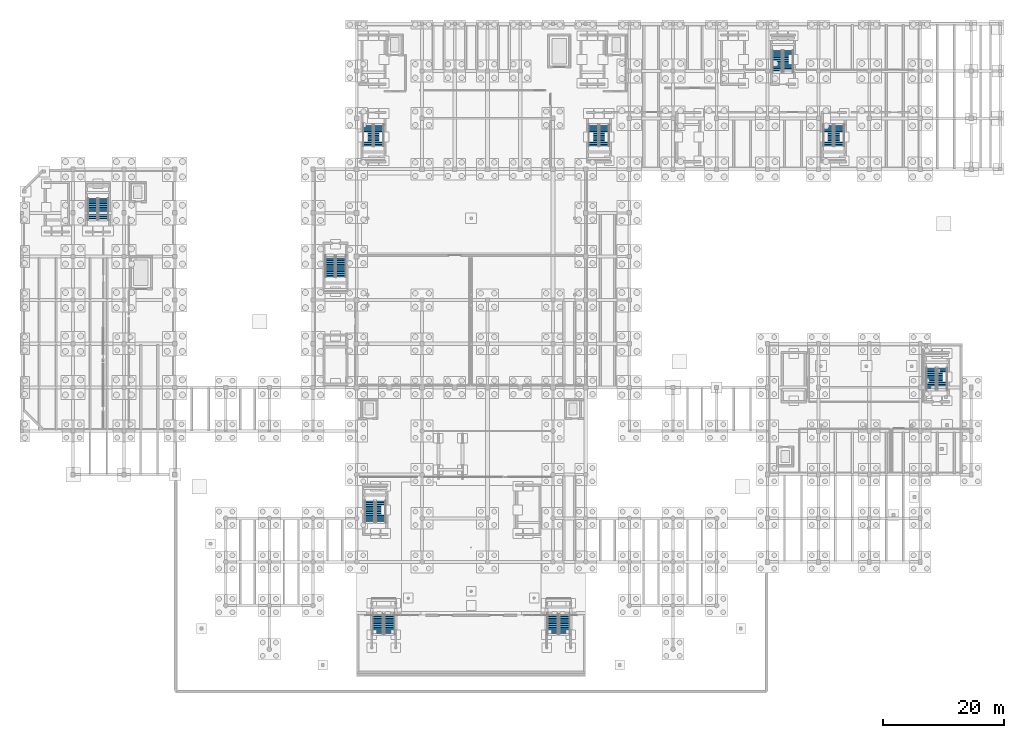
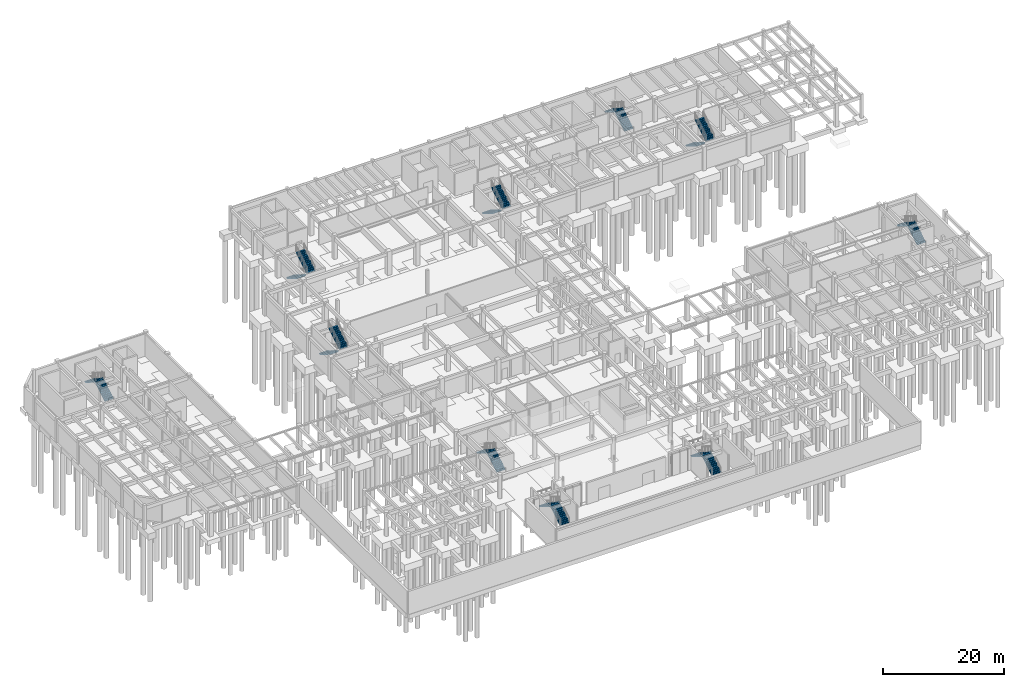
# One storey, part 32 of 46: 20 stair flights, 10 elements without a shape of their own.
"""IFC4 building model written with IfcOpenShell, lengths in metres."""

import ifcopenshell
import ifcopenshell.guid

model = None  # the IFC model being written
_history = None  # IfcOwnerHistory: only IFC2X3 demands one
_inside = {}  # id of a spatial element -> (the spatial element, [elements in it])
_under = {}  # id of a project, library or spatial element -> (it, [spatial elements below it])
_declared = {}  # id of a project -> (the project, [libraries it declares])
_typed = {}  # id of a type object -> (the type object, [elements of that type])
_made_of = {}  # id of a material, layer set ... -> (it, [elements and type objects made of it])


def new_model(schema):
    """Start an empty IFC model of exactly this schema.

    Asked for "IFC4X3", IfcOpenShell would pick the latest addendum, in which some entities
    have other attributes; the version numbers below select the first issue.
    IFC2X3 requires an IfcOwnerHistory on every rooted entity: one is made here for all.
    """
    global model, _history
    if schema == "IFC4X3":
        model = ifcopenshell.file(schema_version=(4, 3, 0, 0))
    else:
        model = ifcopenshell.file(schema=schema)
    _inside.clear()
    _under.clear()
    _declared.clear()
    _typed.clear()
    _made_of.clear()
    _history = None
    if model.schema == "IFC2X3":
        org = make("IfcOrganization", Name="unknown")
        user = make(
            "IfcPersonAndOrganization",
            ThePerson=make("IfcPerson", FamilyName="unknown"),
            TheOrganization=org,
        )
        app = make(
            "IfcApplication",
            ApplicationDeveloper=org,
            Version="unknown",
            ApplicationFullName="unknown",
            ApplicationIdentifier="unknown",
        )
        _history = make(
            "IfcOwnerHistory",
            OwningUser=user,
            OwningApplication=app,
            ChangeAction="ADDED",
            CreationDate=0,
        )
    return model


def make(cls, **values):
    """One entity of the class cls with the attributes given. An attribute that is None is left unset."""
    return model.create_entity(
        cls, **{name: value for name, value in values.items() if value is not None}
    )


def rooted(cls, **values):
    """An entity with a GlobalId (a new one), such as an element, a storey or a relation."""
    return make(cls, GlobalId=ifcopenshell.guid.new(), OwnerHistory=_history, **values)


def si_unit(unit_type, name, prefix=None):
    """IfcSIUnit, for example si_unit("LENGTHUNIT", "METRE", prefix="MILLI")."""
    return make("IfcSIUnit", UnitType=unit_type, Prefix=prefix, Name=name)


def assignment(units):
    """IfcUnitAssignment: the units of a project."""
    return None if units is None else make("IfcUnitAssignment", Units=units)


def point(xyz):
    """IfcCartesianPoint."""
    return None if xyz is None else make("IfcCartesianPoint", Coordinates=xyz)


def direction(xyz):
    """IfcDirection."""
    return None if xyz is None else make("IfcDirection", DirectionRatios=xyz)


def frame(location, z_axis=None, x_axis=None):
    """IfcAxis2Placement3D, a coordinate frame: its origin and axes. An axis left out is left unset."""
    return make(
        "IfcAxis2Placement3D",
        Location=point(location),
        Axis=direction(z_axis),
        RefDirection=direction(x_axis),
    )


def origin():
    """The frame at (0, 0, 0) with its axes left unset."""
    return frame((0.0, 0.0, 0.0))


def place(relative_to, where):
    """IfcLocalPlacement: puts the frame where relative to a parent placement (None: the world)."""
    return make(
        "IfcLocalPlacement", PlacementRelTo=relative_to, RelativePlacement=where
    )


def context(
    kind, dimensions, precision=None, world=None, true_north=None, identifier=None
):
    """IfcGeometricRepresentationContext, for example the 3D "Model" context."""
    return make(
        "IfcGeometricRepresentationContext",
        ContextIdentifier=identifier,
        ContextType=kind,
        CoordinateSpaceDimension=dimensions,
        Precision=precision,
        WorldCoordinateSystem=world,
        TrueNorth=true_north,
    )


def subcontext(parent, identifier, kind, view, scale=None):
    """IfcGeometricRepresentationSubContext, for example "Body" below "Model"."""
    return make(
        "IfcGeometricRepresentationSubContext",
        ContextIdentifier=identifier,
        ContextType=kind,
        ParentContext=parent,
        TargetScale=scale,
        TargetView=view,
    )


def project(units=None, contexts=None):
    """IfcProject with its units and contexts."""
    return rooted(
        "IfcProject",
        Name="project",
        RepresentationContexts=contexts,
        UnitsInContext=assignment(units),
    )


def spatial(cls, under=None, at=None, **own):
    """A site, building, storey or space (cls), placed at a placement, below another one or the project."""
    s = rooted(cls, ObjectPlacement=at, **own)
    if under is not None:
        _under.setdefault(under.id(), (under, []))[1].append(s)
    return s


def polyline(points):
    """IfcPolyline through the points."""
    return make("IfcPolyline", Points=[point(p) for p in points])


def outline(outer, holes=None, kind="AREA"):
    """IfcArbitraryClosedProfileDef: a profile drawn as a closed curve; with holes, ...WithVoids."""
    if holes is None:
        return make("IfcArbitraryClosedProfileDef", ProfileType=kind, OuterCurve=outer)
    return make(
        "IfcArbitraryProfileDefWithVoids",
        ProfileType=kind,
        OuterCurve=outer,
        InnerCurves=holes,
    )


def extrude(swept, where, along, depth):
    """IfcExtrudedAreaSolid: the profile swept, set in the frame where, extruded along a direction by depth."""
    return make(
        "IfcExtrudedAreaSolid",
        SweptArea=swept,
        Position=where,
        ExtrudedDirection=direction(along),
        Depth=depth,
    )


def shape(context_of_items, identifier, shape_type, items):
    """IfcShapeRepresentation: the items that make up one representation, for example the "Body"."""
    return make(
        "IfcShapeRepresentation",
        ContextOfItems=context_of_items,
        RepresentationIdentifier=identifier,
        RepresentationType=shape_type,
        Items=items,
    )


def material(Name=None, Category=None):
    """IfcMaterial."""
    return make("IfcMaterial", Name=Name, Category=Category)


def made_of(thing, what):
    """Note that an element or type object is made of a material, layer set ...; save() writes the relation."""
    if what is not None:
        _made_of.setdefault(what.id(), (what, []))[1].append(thing)
    return thing


def type_object(cls, material=None, **own):
    """A type object (cls), such as IfcWallType, which elements share."""
    return made_of(rooted(cls, **own), material)


def element(
    cls,
    number,
    at=None,
    inside=None,
    cuts=None,
    type_object=None,
    material=None,
    context=None,
    identifier="Body",
    shape_type=None,
    held_by="IfcProductDefinitionShape",
    body=None,
    shapes=None,
    **own,
):
    """One element of the class cls, such as IfcWall. Its Tag is "e" and its number.

    at: its placement. inside: the storey or other place that contains it. cuts: it is an
    opening in that element (IfcRelVoidsElement). A single representation is given by context,
    identifier, shape_type and body (its items); several are given by shapes. held_by: the class
    of the entity that holds the representations. save() writes the other relations.
    """
    e = rooted(cls, Tag="e%d" % number, ObjectPlacement=at, **own)
    if body is not None:
        shapes = [shape(context, identifier, shape_type, body)]
    if shapes is not None:
        e.Representation = make(held_by, Representations=shapes)
    if inside is not None:
        _inside.setdefault(inside.id(), (inside, []))[1].append(e)
    if cuts is not None:
        rooted(
            "IfcRelVoidsElement", RelatingBuildingElement=cuts, RelatedOpeningElement=e
        )
    if type_object is not None:
        _typed.setdefault(type_object.id(), (type_object, []))[1].append(e)
    return made_of(e, material)


def aggregate(whole, parts):
    """IfcRelAggregates: a whole, such as a stair, and the parts it consists of."""
    return rooted("IfcRelAggregates", RelatingObject=whole, RelatedObjects=parts)


def save(model, path):
    """Write the relations noted so far, then the file.

    IfcRelAggregates (storeys below a building ...), IfcRelContainedInSpatialStructure (elements
    in a storey), IfcRelDefinesByType, IfcRelAssociatesMaterial and IfcRelDeclares: one each for
    every whole, place, type object, material and project.
    """
    for whole, parts in _under.values():
        aggregate(whole, parts)
    for where, things in _inside.values():
        rooted(
            "IfcRelContainedInSpatialStructure",
            RelatedElements=things,
            RelatingStructure=where,
        )
    for kind, things in _typed.values():
        rooted("IfcRelDefinesByType", RelatedObjects=things, RelatingType=kind)
    for what, things in _made_of.values():
        rooted("IfcRelAssociatesMaterial", RelatedObjects=things, RelatingMaterial=what)
    for by, libraries in _declared.values():
        rooted("IfcRelDeclares", RelatingContext=by, RelatedDefinitions=libraries)
    model.write(path)


model = new_model("IFC4")

# Units and contexts
model_context = context("Model", 3, precision=1e-05, world=origin(), true_north=direction((0.0, 1.0)))
body_context = subcontext(model_context, "Body", "Model", "MODEL_VIEW")
ifc_project = project(units=[si_unit("LENGTHUNIT", "METRE"), si_unit("AREAUNIT", "SQUARE_METRE"), si_unit("VOLUMEUNIT", "CUBIC_METRE"), si_unit("PLANEANGLEUNIT", "RADIAN"), si_unit("MASSUNIT", "GRAM", prefix="KILO")], contexts=[model_context])

# Site, building, storey
site_placement = place(None, origin())
site = spatial("IfcSite", under=ifc_project, at=site_placement, CompositionType="ELEMENT")
building_placement = place(site_placement, origin())
building = spatial("IfcBuilding", under=site, at=building_placement, Name="Tazoul Stagehouse", CompositionType="ELEMENT")
storey_placement = place(building_placement, frame((0.0, 0.0, -4.800048828125)))
storey = spatial("IfcBuildingStorey", under=building, at=storey_placement, Name="B1", CompositionType="ELEMENT", Elevation=-4.800048828125)

# Stair, stair flights
ifc_material = material(Name="Concrete C40/50", Category="concrete")
stair_type_1 = type_object("IfcStairType", Name="Sunken Metro Amphitheatre Stair", PredefinedType="HALF_TURN_STAIR", material=ifc_material)
stair_1_placement = place(storey_placement, origin())
stair_1 = element("IfcStair", 1, at=stair_1_placement, inside=storey, type_object=stair_type_1, Name="B1 Civic Feature Stair ST-AMP-W", PredefinedType="HALF_TURN_STAIR")
stair_flight_type_1 = type_object("IfcStairFlightType", Name="Amphitheatre Civic Flight W1800", PredefinedType="STRAIGHT", material=ifc_material)
stair_flight_1_placement = place(storey_placement, frame((63.050048828125, 11.0, 0.0), z_axis=(0.0, 0.0, 1.0), x_axis=(0.0, 1.0, 0.0)))
stair_flight_1 = element("IfcStairFlight", 2, at=stair_flight_1_placement, type_object=stair_flight_type_1, Name="ST-AMP-W flight 1", NumberOfRisers=13, NumberOfTreads=12, PredefinedType="STRAIGHT", RiserHeight=0.184615385, TreadLength=0.3, context=body_context, shape_type="SweptSolid", body=[
    extrude(outline(polyline([(0.0, 0.0), (0.0, 0.1845703125), (0.300048828125, 0.1845703125), (0.300048828125, 0.369140625), (0.60009765625, 0.369140625), (0.60009765625, 0.553955078125), (0.89990234375, 0.553955078125), (0.89990234375, 0.738525390625), (1.199951171875, 0.738525390625), (1.199951171875, 0.923095703125), (1.5, 0.923095703125), (1.5, 1.107666015625), (1.800048828125, 1.107666015625), (1.800048828125, 1.292236328125), (2.10009765625, 1.292236328125), (2.10009765625, 1.476806640625), (2.39990234375, 1.476806640625), (2.39990234375, 1.66162109375), (2.699951171875, 1.66162109375), (2.699951171875, 1.84619140625), (3.0, 1.84619140625), (3.0, 2.03076171875), (3.300048828125, 2.03076171875), (3.300048828125, 2.21533203125), (3.60009765625, 2.21533203125), (3.60009765625, 2.39990234375), (3.60009765625, 2.039306640625), (0.2861328125, 0.0), (0.0, 0.0)])), frame((0.0, 0.89990234375, 0.0), z_axis=(0.0, -1.0, 0.0), x_axis=(1.0, 0.0, 0.0)), (0.0, 0.0, 1.0), 1.800048828125),
])
stair_flight_2_placement = place(storey_placement, frame((61.10009765625, 14.60009765625, 2.400146484375), z_axis=(0.0, 0.0, 1.0), x_axis=(0.0, -1.0, 0.0)))
stair_flight_2 = element("IfcStairFlight", 3, at=stair_flight_2_placement, type_object=stair_flight_type_1, Name="ST-AMP-W flight 2", NumberOfRisers=13, NumberOfTreads=12, PredefinedType="STRAIGHT", RiserHeight=0.184615385, TreadLength=0.3, context=body_context, shape_type="SweptSolid", body=[
    extrude(outline(polyline([(0.0, 0.0), (0.0, 0.1845703125), (0.300048828125, 0.1845703125), (0.300048828125, 0.369140625), (0.60009765625, 0.369140625), (0.60009765625, 0.553955078125), (0.89990234375, 0.553955078125), (0.89990234375, 0.738525390625), (1.199951171875, 0.738525390625), (1.199951171875, 0.923095703125), (1.5, 0.923095703125), (1.5, 1.107666015625), (1.800048828125, 1.107666015625), (1.800048828125, 1.292236328125), (2.10009765625, 1.292236328125), (2.10009765625, 1.476806640625), (2.39990234375, 1.476806640625), (2.39990234375, 1.66162109375), (2.699951171875, 1.66162109375), (2.699951171875, 1.84619140625), (3.0, 1.84619140625), (3.0, 2.03076171875), (3.300048828125, 2.03076171875), (3.300048828125, 2.21533203125), (3.60009765625, 2.21533203125), (3.60009765625, 2.39990234375), (3.60009765625, 2.039306640625), (0.2861328125, 0.0), (0.0, 0.0)])), frame((0.0, 0.89990234375, 0.0), z_axis=(0.0, -1.0, 0.0), x_axis=(1.0, 0.0, 0.0)), (0.0, 0.0, 1.0), 1.800048828125),
])
aggregate(stair_1, [stair_flight_1, stair_flight_2])

stair_2_placement = place(storey_placement, origin())
stair_2 = element("IfcStair", 4, at=stair_2_placement, inside=storey, type_object=stair_type_1, Name="B1 Civic Feature Stair ST-AMP-E", PredefinedType="HALF_TURN_STAIR")
stair_flight_3_placement = place(storey_placement, frame((91.89990234375, 11.0, 0.0), z_axis=(0.0, 0.0, 1.0), x_axis=(0.0, 1.0, 0.0)))
stair_flight_3 = element("IfcStairFlight", 5, at=stair_flight_3_placement, type_object=stair_flight_type_1, Name="ST-AMP-E flight 1", NumberOfRisers=13, NumberOfTreads=12, PredefinedType="STRAIGHT", RiserHeight=0.184615385, TreadLength=0.3, context=body_context, shape_type="SweptSolid", body=[
    extrude(outline(polyline([(0.0, 0.0), (0.0, 0.1845703125), (0.300048828125, 0.1845703125), (0.300048828125, 0.369140625), (0.60009765625, 0.369140625), (0.60009765625, 0.553955078125), (0.89990234375, 0.553955078125), (0.89990234375, 0.738525390625), (1.199951171875, 0.738525390625), (1.199951171875, 0.923095703125), (1.5, 0.923095703125), (1.5, 1.107666015625), (1.800048828125, 1.107666015625), (1.800048828125, 1.292236328125), (2.10009765625, 1.292236328125), (2.10009765625, 1.476806640625), (2.39990234375, 1.476806640625), (2.39990234375, 1.66162109375), (2.699951171875, 1.66162109375), (2.699951171875, 1.84619140625), (3.0, 1.84619140625), (3.0, 2.03076171875), (3.300048828125, 2.03076171875), (3.300048828125, 2.21533203125), (3.60009765625, 2.21533203125), (3.60009765625, 2.39990234375), (3.60009765625, 2.039306640625), (0.2861328125, 0.0), (0.0, 0.0)])), frame((0.0, 0.89990234375, 0.0), z_axis=(0.0, -1.0, 0.0), x_axis=(1.0, 0.0, 0.0)), (0.0, 0.0, 1.0), 1.800048828125),
])
stair_flight_4_placement = place(storey_placement, frame((89.949951171875, 14.60009765625, 2.400146484375), z_axis=(0.0, 0.0, 1.0), x_axis=(0.0, -1.0, 0.0)))
stair_flight_4 = element("IfcStairFlight", 6, at=stair_flight_4_placement, type_object=stair_flight_type_1, Name="ST-AMP-E flight 2", NumberOfRisers=13, NumberOfTreads=12, PredefinedType="STRAIGHT", RiserHeight=0.184615385, TreadLength=0.3, context=body_context, shape_type="SweptSolid", body=[
    extrude(outline(polyline([(0.0, 0.0), (0.0, 0.1845703125), (0.300048828125, 0.1845703125), (0.300048828125, 0.369140625), (0.60009765625, 0.369140625), (0.60009765625, 0.553955078125), (0.89990234375, 0.553955078125), (0.89990234375, 0.738525390625), (1.199951171875, 0.738525390625), (1.199951171875, 0.923095703125), (1.5, 0.923095703125), (1.5, 1.107666015625), (1.800048828125, 1.107666015625), (1.800048828125, 1.292236328125), (2.10009765625, 1.292236328125), (2.10009765625, 1.476806640625), (2.39990234375, 1.476806640625), (2.39990234375, 1.66162109375), (2.699951171875, 1.66162109375), (2.699951171875, 1.84619140625), (3.0, 1.84619140625), (3.0, 2.03076171875), (3.300048828125, 2.03076171875), (3.300048828125, 2.21533203125), (3.60009765625, 2.21533203125), (3.60009765625, 2.39990234375), (3.60009765625, 2.039306640625), (0.2861328125, 0.0), (0.0, 0.0)])), frame((0.0, 0.89990234375, 0.0), z_axis=(0.0, -1.0, 0.0), x_axis=(1.0, 0.0, 0.0)), (0.0, 0.0, 1.0), 1.800048828125),
])
aggregate(stair_2, [stair_flight_3, stair_flight_4])

stair_type_2 = type_object("IfcStairType", Name="Dissociated Basement Escape Stair 4800", PredefinedType="HALF_TURN_STAIR", material=ifc_material)
stair_3_placement = place(storey_placement, origin())
stair_3 = element("IfcStair", 7, at=stair_3_placement, inside=storey, type_object=stair_type_2, Name="B1 Basement Escape Stair ST-B1", PredefinedType="HALF_TURN_STAIR")
stair_flight_type_2 = type_object("IfcStairFlightType", Name="Core Stair Flight W1650", PredefinedType="STRAIGHT", material=ifc_material)
stair_flight_5_placement = place(storey_placement, frame((96.675048828125, 95.199951171875, 0.0), z_axis=(0.0, 0.0, 1.0), x_axis=(0.0, -1.0, 0.0)))
stair_flight_5 = element("IfcStairFlight", 8, at=stair_flight_5_placement, type_object=stair_flight_type_2, Name="ST-B1 flight 1", NumberOfRisers=13, NumberOfTreads=12, PredefinedType="STRAIGHT", RiserHeight=0.184615385, TreadLength=0.3, context=body_context, shape_type="SweptSolid", body=[
    extrude(outline(polyline([(0.0, 0.0), (0.0, 0.1845703125), (0.300048828125, 0.1845703125), (0.300048828125, 0.369140625), (0.60009765625, 0.369140625), (0.60009765625, 0.553955078125), (0.89990234375, 0.553955078125), (0.89990234375, 0.738525390625), (1.199951171875, 0.738525390625), (1.199951171875, 0.923095703125), (1.5, 0.923095703125), (1.5, 1.107666015625), (1.800048828125, 1.107666015625), (1.800048828125, 1.292236328125), (2.10009765625, 1.292236328125), (2.10009765625, 1.476806640625), (2.39990234375, 1.476806640625), (2.39990234375, 1.66162109375), (2.699951171875, 1.66162109375), (2.699951171875, 1.84619140625), (3.0, 1.84619140625), (3.0, 2.03076171875), (3.300048828125, 2.03076171875), (3.300048828125, 2.21533203125), (3.60009765625, 2.21533203125), (3.60009765625, 2.39990234375), (3.60009765625, 2.039306640625), (0.2861328125, 0.0), (0.0, 0.0)])), frame((0.0, 0.824951171875, 0.0), z_axis=(0.0, -1.0, 0.0), x_axis=(1.0, 0.0, 0.0)), (0.0, 0.0, 1.0), 1.64990234375),
])
stair_flight_6_placement = place(storey_placement, frame((98.47509765625, 91.60009765625, 2.400146484375), z_axis=(0.0, 0.0, 1.0), x_axis=(0.0, 1.0, 0.0)))
stair_flight_6 = element("IfcStairFlight", 9, at=stair_flight_6_placement, type_object=stair_flight_type_2, Name="ST-B1 flight 2", NumberOfRisers=13, NumberOfTreads=12, PredefinedType="STRAIGHT", RiserHeight=0.184615385, TreadLength=0.3, context=body_context, shape_type="SweptSolid", body=[
    extrude(outline(polyline([(0.0, 0.0), (0.0, 0.1845703125), (0.300048828125, 0.1845703125), (0.300048828125, 0.369140625), (0.60009765625, 0.369140625), (0.60009765625, 0.553955078125), (0.89990234375, 0.553955078125), (0.89990234375, 0.738525390625), (1.199951171875, 0.738525390625), (1.199951171875, 0.923095703125), (1.5, 0.923095703125), (1.5, 1.107666015625), (1.800048828125, 1.107666015625), (1.800048828125, 1.292236328125), (2.10009765625, 1.292236328125), (2.10009765625, 1.476806640625), (2.39990234375, 1.476806640625), (2.39990234375, 1.66162109375), (2.699951171875, 1.66162109375), (2.699951171875, 1.84619140625), (3.0, 1.84619140625), (3.0, 2.03076171875), (3.300048828125, 2.03076171875), (3.300048828125, 2.21533203125), (3.60009765625, 2.21533203125), (3.60009765625, 2.39990234375), (3.60009765625, 2.039306640625), (0.2861328125, 0.0), (0.0, 0.0)])), frame((0.0, 0.824951171875, 0.0), z_axis=(0.0, -1.0, 0.0), x_axis=(1.0, 0.0, 0.0)), (0.0, 0.0, 1.0), 1.64990234375),
])
aggregate(stair_3, [stair_flight_5, stair_flight_6])

stair_4_placement = place(storey_placement, origin())
stair_4 = element("IfcStair", 10, at=stair_4_placement, inside=storey, type_object=stair_type_2, Name="B1 Basement Escape Stair ST-B2", PredefinedType="HALF_TURN_STAIR")
stair_flight_7_placement = place(storey_placement, frame((128.824951171875, 103.800048828125, 0.0), z_axis=(0.0, 0.0, 1.0), x_axis=(0.0, 1.0, 0.0)))
stair_flight_7 = element("IfcStairFlight", 11, at=stair_flight_7_placement, type_object=stair_flight_type_2, Name="ST-B2 flight 1", NumberOfRisers=13, NumberOfTreads=12, PredefinedType="STRAIGHT", RiserHeight=0.184615385, TreadLength=0.3, context=body_context, shape_type="SweptSolid", body=[
    extrude(outline(polyline([(0.0, 0.0), (0.0, 0.1845703125), (0.300048828125, 0.1845703125), (0.300048828125, 0.369140625), (0.60009765625, 0.369140625), (0.60009765625, 0.553955078125), (0.89990234375, 0.553955078125), (0.89990234375, 0.738525390625), (1.199951171875, 0.738525390625), (1.199951171875, 0.923095703125), (1.5, 0.923095703125), (1.5, 1.107666015625), (1.800048828125, 1.107666015625), (1.800048828125, 1.292236328125), (2.10009765625, 1.292236328125), (2.10009765625, 1.476806640625), (2.39990234375, 1.476806640625), (2.39990234375, 1.66162109375), (2.699951171875, 1.66162109375), (2.699951171875, 1.84619140625), (3.0, 1.84619140625), (3.0, 2.03076171875), (3.300048828125, 2.03076171875), (3.300048828125, 2.21533203125), (3.60009765625, 2.21533203125), (3.60009765625, 2.39990234375), (3.60009765625, 2.039306640625), (0.2861328125, 0.0), (0.0, 0.0)])), frame((0.0, 0.824951171875, 0.0), z_axis=(0.0, -1.0, 0.0), x_axis=(1.0, 0.0, 0.0)), (0.0, 0.0, 1.0), 1.64990234375),
])
stair_flight_8_placement = place(storey_placement, frame((127.02490234375, 107.39990234375, 2.400146484375), z_axis=(0.0, 0.0, 1.0), x_axis=(0.0, -1.0, 0.0)))
stair_flight_8 = element("IfcStairFlight", 12, at=stair_flight_8_placement, type_object=stair_flight_type_2, Name="ST-B2 flight 2", NumberOfRisers=13, NumberOfTreads=12, PredefinedType="STRAIGHT", RiserHeight=0.184615385, TreadLength=0.3, context=body_context, shape_type="SweptSolid", body=[
    extrude(outline(polyline([(0.0, 0.0), (0.0, 0.1845703125), (0.300048828125, 0.1845703125), (0.300048828125, 0.369140625), (0.60009765625, 0.369140625), (0.60009765625, 0.553955078125), (0.89990234375, 0.553955078125), (0.89990234375, 0.738525390625), (1.199951171875, 0.738525390625), (1.199951171875, 0.923095703125), (1.5, 0.923095703125), (1.5, 1.107666015625), (1.800048828125, 1.107666015625), (1.800048828125, 1.292236328125), (2.10009765625, 1.292236328125), (2.10009765625, 1.476806640625), (2.39990234375, 1.476806640625), (2.39990234375, 1.66162109375), (2.699951171875, 1.66162109375), (2.699951171875, 1.84619140625), (3.0, 1.84619140625), (3.0, 2.03076171875), (3.300048828125, 2.03076171875), (3.300048828125, 2.21533203125), (3.60009765625, 2.21533203125), (3.60009765625, 2.39990234375), (3.60009765625, 2.039306640625), (0.2861328125, 0.0), (0.0, 0.0)])), frame((0.0, 0.824951171875, 0.0), z_axis=(0.0, -1.0, 0.0), x_axis=(1.0, 0.0, 0.0)), (0.0, 0.0, 1.0), 1.64990234375),
])
aggregate(stair_4, [stair_flight_7, stair_flight_8])

stair_5_placement = place(storey_placement, origin())
stair_5 = element("IfcStair", 13, at=stair_5_placement, inside=storey, type_object=stair_type_2, Name="B1 Basement Escape Stair ST-B3", PredefinedType="HALF_TURN_STAIR")
stair_flight_9_placement = place(storey_placement, frame((59.47509765625, 95.199951171875, 0.0), z_axis=(0.0, 0.0, 1.0), x_axis=(0.0, -1.0, 0.0)))
stair_flight_9 = element("IfcStairFlight", 14, at=stair_flight_9_placement, type_object=stair_flight_type_2, Name="ST-B3 flight 1", NumberOfRisers=13, NumberOfTreads=12, PredefinedType="STRAIGHT", RiserHeight=0.184615385, TreadLength=0.3, context=body_context, shape_type="SweptSolid", body=[
    extrude(outline(polyline([(0.0, 0.0), (0.0, 0.1845703125), (0.300048828125, 0.1845703125), (0.300048828125, 0.369140625), (0.60009765625, 0.369140625), (0.60009765625, 0.553955078125), (0.89990234375, 0.553955078125), (0.89990234375, 0.738525390625), (1.199951171875, 0.738525390625), (1.199951171875, 0.923095703125), (1.5, 0.923095703125), (1.5, 1.107666015625), (1.800048828125, 1.107666015625), (1.800048828125, 1.292236328125), (2.10009765625, 1.292236328125), (2.10009765625, 1.476806640625), (2.39990234375, 1.476806640625), (2.39990234375, 1.66162109375), (2.699951171875, 1.66162109375), (2.699951171875, 1.84619140625), (3.0, 1.84619140625), (3.0, 2.03076171875), (3.300048828125, 2.03076171875), (3.300048828125, 2.21533203125), (3.60009765625, 2.21533203125), (3.60009765625, 2.39990234375), (3.60009765625, 2.039306640625), (0.2861328125, 0.0), (0.0, 0.0)])), frame((0.0, 0.824951171875, 0.0), z_axis=(0.0, -1.0, 0.0), x_axis=(1.0, 0.0, 0.0)), (0.0, 0.0, 1.0), 1.64990234375),
])
stair_flight_10_placement = place(storey_placement, frame((61.27490234375, 91.60009765625, 2.400146484375), z_axis=(0.0, 0.0, 1.0), x_axis=(0.0, 1.0, 0.0)))
stair_flight_10 = element("IfcStairFlight", 15, at=stair_flight_10_placement, type_object=stair_flight_type_2, Name="ST-B3 flight 2", NumberOfRisers=13, NumberOfTreads=12, PredefinedType="STRAIGHT", RiserHeight=0.184615385, TreadLength=0.3, context=body_context, shape_type="SweptSolid", body=[
    extrude(outline(polyline([(0.0, 0.0), (0.0, 0.1845703125), (0.300048828125, 0.1845703125), (0.300048828125, 0.369140625), (0.60009765625, 0.369140625), (0.60009765625, 0.553955078125), (0.89990234375, 0.553955078125), (0.89990234375, 0.738525390625), (1.199951171875, 0.738525390625), (1.199951171875, 0.923095703125), (1.5, 0.923095703125), (1.5, 1.107666015625), (1.800048828125, 1.107666015625), (1.800048828125, 1.292236328125), (2.10009765625, 1.292236328125), (2.10009765625, 1.476806640625), (2.39990234375, 1.476806640625), (2.39990234375, 1.66162109375), (2.699951171875, 1.66162109375), (2.699951171875, 1.84619140625), (3.0, 1.84619140625), (3.0, 2.03076171875), (3.300048828125, 2.03076171875), (3.300048828125, 2.21533203125), (3.60009765625, 2.21533203125), (3.60009765625, 2.39990234375), (3.60009765625, 2.039306640625), (0.2861328125, 0.0), (0.0, 0.0)])), frame((0.0, 0.824951171875, 0.0), z_axis=(0.0, -1.0, 0.0), x_axis=(1.0, 0.0, 0.0)), (0.0, 0.0, 1.0), 1.64990234375),
])
aggregate(stair_5, [stair_flight_9, stair_flight_10])

stair_6_placement = place(storey_placement, origin())
stair_6 = element("IfcStair", 16, at=stair_6_placement, inside=storey, type_object=stair_type_2, Name="B1 Basement Escape Stair ST-B4", PredefinedType="HALF_TURN_STAIR")
stair_flight_11_placement = place(storey_placement, frame((135.425048828125, 95.199951171875, 0.0), z_axis=(0.0, 0.0, 1.0), x_axis=(0.0, -1.0, 0.0)))
stair_flight_11 = element("IfcStairFlight", 17, at=stair_flight_11_placement, type_object=stair_flight_type_2, Name="ST-B4 flight 1", NumberOfRisers=13, NumberOfTreads=12, PredefinedType="STRAIGHT", RiserHeight=0.184615385, TreadLength=0.3, context=body_context, shape_type="SweptSolid", body=[
    extrude(outline(polyline([(0.0, 0.0), (0.0, 0.1845703125), (0.300048828125, 0.1845703125), (0.300048828125, 0.369140625), (0.60009765625, 0.369140625), (0.60009765625, 0.553955078125), (0.89990234375, 0.553955078125), (0.89990234375, 0.738525390625), (1.199951171875, 0.738525390625), (1.199951171875, 0.923095703125), (1.5, 0.923095703125), (1.5, 1.107666015625), (1.800048828125, 1.107666015625), (1.800048828125, 1.292236328125), (2.10009765625, 1.292236328125), (2.10009765625, 1.476806640625), (2.39990234375, 1.476806640625), (2.39990234375, 1.66162109375), (2.699951171875, 1.66162109375), (2.699951171875, 1.84619140625), (3.0, 1.84619140625), (3.0, 2.03076171875), (3.300048828125, 2.03076171875), (3.300048828125, 2.21533203125), (3.60009765625, 2.21533203125), (3.60009765625, 2.39990234375), (3.60009765625, 2.039306640625), (0.2861328125, 0.0), (0.0, 0.0)])), frame((0.0, 0.824951171875, 0.0), z_axis=(0.0, -1.0, 0.0), x_axis=(1.0, 0.0, 0.0)), (0.0, 0.0, 1.0), 1.64990234375),
])
stair_flight_12_placement = place(storey_placement, frame((137.22509765625, 91.60009765625, 2.400146484375), z_axis=(0.0, 0.0, 1.0), x_axis=(0.0, 1.0, 0.0)))
stair_flight_12 = element("IfcStairFlight", 18, at=stair_flight_12_placement, type_object=stair_flight_type_2, Name="ST-B4 flight 2", NumberOfRisers=13, NumberOfTreads=12, PredefinedType="STRAIGHT", RiserHeight=0.184615385, TreadLength=0.3, context=body_context, shape_type="SweptSolid", body=[
    extrude(outline(polyline([(0.0, 0.0), (0.0, 0.1845703125), (0.300048828125, 0.1845703125), (0.300048828125, 0.369140625), (0.60009765625, 0.369140625), (0.60009765625, 0.553955078125), (0.89990234375, 0.553955078125), (0.89990234375, 0.738525390625), (1.199951171875, 0.738525390625), (1.199951171875, 0.923095703125), (1.5, 0.923095703125), (1.5, 1.107666015625), (1.800048828125, 1.107666015625), (1.800048828125, 1.292236328125), (2.10009765625, 1.292236328125), (2.10009765625, 1.476806640625), (2.39990234375, 1.476806640625), (2.39990234375, 1.66162109375), (2.699951171875, 1.66162109375), (2.699951171875, 1.84619140625), (3.0, 1.84619140625), (3.0, 2.03076171875), (3.300048828125, 2.03076171875), (3.300048828125, 2.21533203125), (3.60009765625, 2.21533203125), (3.60009765625, 2.39990234375), (3.60009765625, 2.039306640625), (0.2861328125, 0.0), (0.0, 0.0)])), frame((0.0, 0.824951171875, 0.0), z_axis=(0.0, -1.0, 0.0), x_axis=(1.0, 0.0, 0.0)), (0.0, 0.0, 1.0), 1.64990234375),
])
aggregate(stair_6, [stair_flight_11, stair_flight_12])

stair_7_placement = place(storey_placement, origin())
stair_7 = element("IfcStair", 19, at=stair_7_placement, inside=storey, type_object=stair_type_2, Name="B1 Basement Escape Stair ST-B5", PredefinedType="HALF_TURN_STAIR")
stair_flight_13_placement = place(storey_placement, frame((53.22509765625, 73.60009765625, 0.0), z_axis=(0.0, 0.0, 1.0), x_axis=(0.0, -1.0, 0.0)))
stair_flight_13 = element("IfcStairFlight", 20, at=stair_flight_13_placement, type_object=stair_flight_type_2, Name="ST-B5 flight 1", NumberOfRisers=13, NumberOfTreads=12, PredefinedType="STRAIGHT", RiserHeight=0.184615385, TreadLength=0.3, context=body_context, shape_type="SweptSolid", body=[
    extrude(outline(polyline([(0.0, 0.0), (0.0, 0.1845703125), (0.300048828125, 0.1845703125), (0.300048828125, 0.369140625), (0.60009765625, 0.369140625), (0.60009765625, 0.553955078125), (0.89990234375, 0.553955078125), (0.89990234375, 0.738525390625), (1.199951171875, 0.738525390625), (1.199951171875, 0.923095703125), (1.5, 0.923095703125), (1.5, 1.107666015625), (1.800048828125, 1.107666015625), (1.800048828125, 1.292236328125), (2.10009765625, 1.292236328125), (2.10009765625, 1.476806640625), (2.39990234375, 1.476806640625), (2.39990234375, 1.66162109375), (2.699951171875, 1.66162109375), (2.699951171875, 1.84619140625), (3.0, 1.84619140625), (3.0, 2.03076171875), (3.300048828125, 2.03076171875), (3.300048828125, 2.21533203125), (3.60009765625, 2.21533203125), (3.60009765625, 2.39990234375), (3.60009765625, 2.039306640625), (0.2861328125, 0.0), (0.0, 0.0)])), frame((0.0, 0.824951171875, 0.0), z_axis=(0.0, -1.0, 0.0), x_axis=(1.0, 0.0, 0.0)), (0.0, 0.0, 1.0), 1.64990234375),
])
stair_flight_14_placement = place(storey_placement, frame((55.02490234375, 70.0, 2.400146484375), z_axis=(0.0, 0.0, 1.0), x_axis=(0.0, 1.0, 0.0)))
stair_flight_14 = element("IfcStairFlight", 21, at=stair_flight_14_placement, type_object=stair_flight_type_2, Name="ST-B5 flight 2", NumberOfRisers=13, NumberOfTreads=12, PredefinedType="STRAIGHT", RiserHeight=0.184615385, TreadLength=0.3, context=body_context, shape_type="SweptSolid", body=[
    extrude(outline(polyline([(0.0, 0.0), (0.0, 0.1845703125), (0.300048828125, 0.1845703125), (0.300048828125, 0.369140625), (0.60009765625, 0.369140625), (0.60009765625, 0.553955078125), (0.89990234375, 0.553955078125), (0.89990234375, 0.738525390625), (1.199951171875, 0.738525390625), (1.199951171875, 0.923095703125), (1.5, 0.923095703125), (1.5, 1.107666015625), (1.800048828125, 1.107666015625), (1.800048828125, 1.292236328125), (2.10009765625, 1.292236328125), (2.10009765625, 1.476806640625), (2.39990234375, 1.476806640625), (2.39990234375, 1.66162109375), (2.699951171875, 1.66162109375), (2.699951171875, 1.84619140625), (3.0, 1.84619140625), (3.0, 2.03076171875), (3.300048828125, 2.03076171875), (3.300048828125, 2.21533203125), (3.60009765625, 2.21533203125), (3.60009765625, 2.39990234375), (3.60009765625, 2.039306640625), (0.2861328125, 0.0), (0.0, 0.0)])), frame((0.0, 0.824951171875, 0.0), z_axis=(0.0, -1.0, 0.0), x_axis=(1.0, 0.0, 0.0)), (0.0, 0.0, 1.0), 1.64990234375),
])
aggregate(stair_7, [stair_flight_13, stair_flight_14])

stair_8_placement = place(storey_placement, origin())
stair_8 = element("IfcStair", 22, at=stair_8_placement, inside=storey, type_object=stair_type_2, Name="B1 Basement Escape Stair ST-B6", PredefinedType="HALF_TURN_STAIR")
stair_flight_15_placement = place(storey_placement, frame((15.824951171875, 79.39990234375, 0.0), z_axis=(0.0, 0.0, 1.0), x_axis=(0.0, 1.0, 0.0)))
stair_flight_15 = element("IfcStairFlight", 23, at=stair_flight_15_placement, type_object=stair_flight_type_2, Name="ST-B6 flight 1", NumberOfRisers=13, NumberOfTreads=12, PredefinedType="STRAIGHT", RiserHeight=0.184615385, TreadLength=0.3, context=body_context, shape_type="SweptSolid", body=[
    extrude(outline(polyline([(0.0, 0.0), (0.0, 0.1845703125), (0.300048828125, 0.1845703125), (0.300048828125, 0.369140625), (0.60009765625, 0.369140625), (0.60009765625, 0.553955078125), (0.89990234375, 0.553955078125), (0.89990234375, 0.738525390625), (1.199951171875, 0.738525390625), (1.199951171875, 0.923095703125), (1.5, 0.923095703125), (1.5, 1.107666015625), (1.800048828125, 1.107666015625), (1.800048828125, 1.292236328125), (2.10009765625, 1.292236328125), (2.10009765625, 1.476806640625), (2.39990234375, 1.476806640625), (2.39990234375, 1.66162109375), (2.699951171875, 1.66162109375), (2.699951171875, 1.84619140625), (3.0, 1.84619140625), (3.0, 2.03076171875), (3.300048828125, 2.03076171875), (3.300048828125, 2.21533203125), (3.60009765625, 2.21533203125), (3.60009765625, 2.39990234375), (3.60009765625, 2.039306640625), (0.2861328125, 0.0), (0.0, 0.0)])), frame((0.0, 0.824951171875, 0.0), z_axis=(0.0, -1.0, 0.0), x_axis=(1.0, 0.0, 0.0)), (0.0, 0.0, 1.0), 1.64990234375),
])
stair_flight_16_placement = place(storey_placement, frame((14.02490234375, 83.0, 2.400146484375), z_axis=(0.0, 0.0, 1.0), x_axis=(0.0, -1.0, 0.0)))
stair_flight_16 = element("IfcStairFlight", 24, at=stair_flight_16_placement, type_object=stair_flight_type_2, Name="ST-B6 flight 2", NumberOfRisers=13, NumberOfTreads=12, PredefinedType="STRAIGHT", RiserHeight=0.184615385, TreadLength=0.3, context=body_context, shape_type="SweptSolid", body=[
    extrude(outline(polyline([(0.0, 0.0), (0.0, 0.1845703125), (0.300048828125, 0.1845703125), (0.300048828125, 0.369140625), (0.60009765625, 0.369140625), (0.60009765625, 0.553955078125), (0.89990234375, 0.553955078125), (0.89990234375, 0.738525390625), (1.199951171875, 0.738525390625), (1.199951171875, 0.923095703125), (1.5, 0.923095703125), (1.5, 1.107666015625), (1.800048828125, 1.107666015625), (1.800048828125, 1.292236328125), (2.10009765625, 1.292236328125), (2.10009765625, 1.476806640625), (2.39990234375, 1.476806640625), (2.39990234375, 1.66162109375), (2.699951171875, 1.66162109375), (2.699951171875, 1.84619140625), (3.0, 1.84619140625), (3.0, 2.03076171875), (3.300048828125, 2.03076171875), (3.300048828125, 2.21533203125), (3.60009765625, 2.21533203125), (3.60009765625, 2.39990234375), (3.60009765625, 2.039306640625), (0.2861328125, 0.0), (0.0, 0.0)])), frame((0.0, 0.824951171875, 0.0), z_axis=(0.0, -1.0, 0.0), x_axis=(1.0, 0.0, 0.0)), (0.0, 0.0, 1.0), 1.64990234375),
])
aggregate(stair_8, [stair_flight_15, stair_flight_16])

stair_9_placement = place(storey_placement, origin())
stair_9 = element("IfcStair", 25, at=stair_9_placement, inside=storey, type_object=stair_type_2, Name="B1 Basement Escape Stair ST-B7", PredefinedType="HALF_TURN_STAIR")
stair_flight_17_placement = place(storey_placement, frame((154.22509765625, 51.39990234375, 0.0), z_axis=(0.0, 0.0, 1.0), x_axis=(0.0, 1.0, 0.0)))
stair_flight_17 = element("IfcStairFlight", 26, at=stair_flight_17_placement, type_object=stair_flight_type_2, Name="ST-B7 flight 1", NumberOfRisers=13, NumberOfTreads=12, PredefinedType="STRAIGHT", RiserHeight=0.184615385, TreadLength=0.3, context=body_context, shape_type="SweptSolid", body=[
    extrude(outline(polyline([(0.0, 0.0), (0.0, 0.1845703125), (0.300048828125, 0.1845703125), (0.300048828125, 0.369140625), (0.60009765625, 0.369140625), (0.60009765625, 0.553955078125), (0.89990234375, 0.553955078125), (0.89990234375, 0.738525390625), (1.199951171875, 0.738525390625), (1.199951171875, 0.923095703125), (1.5, 0.923095703125), (1.5, 1.107666015625), (1.800048828125, 1.107666015625), (1.800048828125, 1.292236328125), (2.10009765625, 1.292236328125), (2.10009765625, 1.476806640625), (2.39990234375, 1.476806640625), (2.39990234375, 1.66162109375), (2.699951171875, 1.66162109375), (2.699951171875, 1.84619140625), (3.0, 1.84619140625), (3.0, 2.03076171875), (3.300048828125, 2.03076171875), (3.300048828125, 2.21533203125), (3.60009765625, 2.21533203125), (3.60009765625, 2.39990234375), (3.60009765625, 2.039306640625), (0.2861328125, 0.0), (0.0, 0.0)])), frame((0.0, 0.824951171875, 0.0), z_axis=(0.0, -1.0, 0.0), x_axis=(1.0, 0.0, 0.0)), (0.0, 0.0, 1.0), 1.64990234375),
])
stair_flight_18_placement = place(storey_placement, frame((152.425048828125, 55.0, 2.400146484375), z_axis=(0.0, 0.0, 1.0), x_axis=(0.0, -1.0, 0.0)))
stair_flight_18 = element("IfcStairFlight", 27, at=stair_flight_18_placement, type_object=stair_flight_type_2, Name="ST-B7 flight 2", NumberOfRisers=13, NumberOfTreads=12, PredefinedType="STRAIGHT", RiserHeight=0.184615385, TreadLength=0.3, context=body_context, shape_type="SweptSolid", body=[
    extrude(outline(polyline([(0.0, 0.0), (0.0, 0.1845703125), (0.300048828125, 0.1845703125), (0.300048828125, 0.369140625), (0.60009765625, 0.369140625), (0.60009765625, 0.553955078125), (0.89990234375, 0.553955078125), (0.89990234375, 0.738525390625), (1.199951171875, 0.738525390625), (1.199951171875, 0.923095703125), (1.5, 0.923095703125), (1.5, 1.107666015625), (1.800048828125, 1.107666015625), (1.800048828125, 1.292236328125), (2.10009765625, 1.292236328125), (2.10009765625, 1.476806640625), (2.39990234375, 1.476806640625), (2.39990234375, 1.66162109375), (2.699951171875, 1.66162109375), (2.699951171875, 1.84619140625), (3.0, 1.84619140625), (3.0, 2.03076171875), (3.300048828125, 2.03076171875), (3.300048828125, 2.21533203125), (3.60009765625, 2.21533203125), (3.60009765625, 2.39990234375), (3.60009765625, 2.039306640625), (0.2861328125, 0.0), (0.0, 0.0)])), frame((0.0, 0.824951171875, 0.0), z_axis=(0.0, -1.0, 0.0), x_axis=(1.0, 0.0, 0.0)), (0.0, 0.0, 1.0), 1.64990234375),
])
aggregate(stair_9, [stair_flight_17, stair_flight_18])

stair_10_placement = place(storey_placement, origin())
stair_10 = element("IfcStair", 28, at=stair_10_placement, inside=storey, type_object=stair_type_2, Name="B1 Basement Escape Stair ST-B8", PredefinedType="HALF_TURN_STAIR")
stair_flight_19_placement = place(storey_placement, frame((61.574951171875, 29.47998046875, 0.0), z_axis=(0.0, 0.0, 1.0), x_axis=(0.0, 1.0, 0.0)))
stair_flight_19 = element("IfcStairFlight", 29, at=stair_flight_19_placement, type_object=stair_flight_type_2, Name="ST-B8 flight 1", NumberOfRisers=13, NumberOfTreads=12, PredefinedType="STRAIGHT", RiserHeight=0.184615385, TreadLength=0.3, context=body_context, shape_type="SweptSolid", body=[
    extrude(outline(polyline([(0.0, 0.0), (0.0, 0.1845703125), (0.300048828125, 0.1845703125), (0.300048828125, 0.369140625), (0.60009765625, 0.369140625), (0.60009765625, 0.553955078125), (0.89990234375, 0.553955078125), (0.89990234375, 0.738525390625), (1.199951171875, 0.738525390625), (1.199951171875, 0.923095703125), (1.5, 0.923095703125), (1.5, 1.107666015625), (1.800048828125, 1.107666015625), (1.800048828125, 1.292236328125), (2.10009765625, 1.292236328125), (2.10009765625, 1.476806640625), (2.39990234375, 1.476806640625), (2.39990234375, 1.66162109375), (2.699951171875, 1.66162109375), (2.699951171875, 1.84619140625), (3.0, 1.84619140625), (3.0, 2.03076171875), (3.300048828125, 2.03076171875), (3.300048828125, 2.21533203125), (3.60009765625, 2.21533203125), (3.60009765625, 2.39990234375), (3.60009765625, 2.039306640625), (0.2861328125, 0.0), (0.0, 0.0)])), frame((0.0, 0.824951171875, 0.0), z_axis=(0.0, -1.0, 0.0), x_axis=(1.0, 0.0, 0.0)), (0.0, 0.0, 1.0), 1.64990234375),
])
stair_flight_20_placement = place(storey_placement, frame((59.77490234375, 33.080078125, 2.400146484375), z_axis=(0.0, 0.0, 1.0), x_axis=(0.0, -1.0, 0.0)))
stair_flight_20 = element("IfcStairFlight", 30, at=stair_flight_20_placement, type_object=stair_flight_type_2, Name="ST-B8 flight 2", NumberOfRisers=13, NumberOfTreads=12, PredefinedType="STRAIGHT", RiserHeight=0.184615385, TreadLength=0.3, context=body_context, shape_type="SweptSolid", body=[
    extrude(outline(polyline([(0.0, 0.0), (0.0, 0.1845703125), (0.300048828125, 0.1845703125), (0.300048828125, 0.369140625), (0.60009765625, 0.369140625), (0.60009765625, 0.553955078125), (0.89990234375, 0.553955078125), (0.89990234375, 0.738525390625), (1.199951171875, 0.738525390625), (1.199951171875, 0.923095703125), (1.5, 0.923095703125), (1.5, 1.107666015625), (1.800048828125, 1.107666015625), (1.800048828125, 1.292236328125), (2.10009765625, 1.292236328125), (2.10009765625, 1.476806640625), (2.39990234375, 1.476806640625), (2.39990234375, 1.66162109375), (2.699951171875, 1.66162109375), (2.699951171875, 1.84619140625), (3.0, 1.84619140625), (3.0, 2.03076171875), (3.300048828125, 2.03076171875), (3.300048828125, 2.21533203125), (3.60009765625, 2.21533203125), (3.60009765625, 2.39990234375), (3.60009765625, 2.039306640625), (0.2861328125, 0.0), (0.0, 0.0)])), frame((0.0, 0.824951171875, 0.0), z_axis=(0.0, -1.0, 0.0), x_axis=(1.0, 0.0, 0.0)), (0.0, 0.0, 1.0), 1.64990234375),
])
aggregate(stair_10, [stair_flight_19, stair_flight_20])

save(model, "model.ifc")
